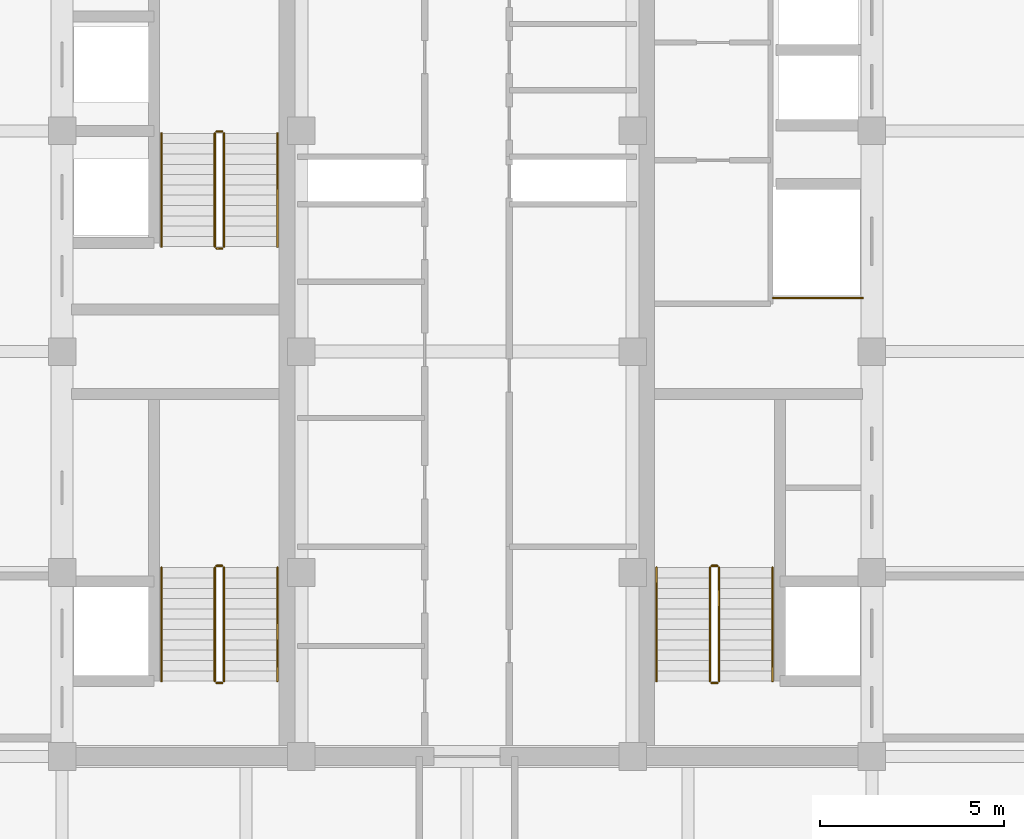
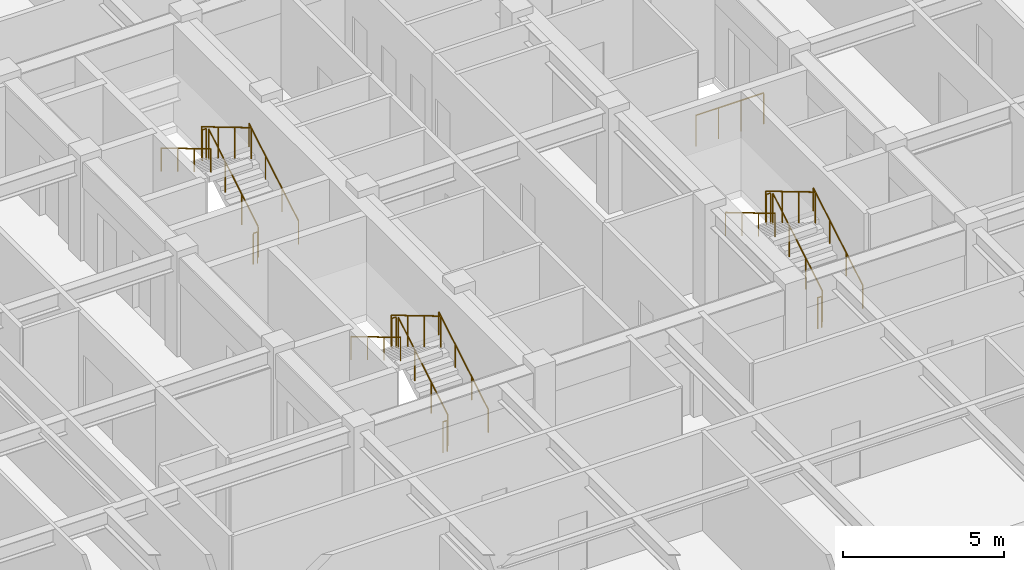
# One storey, part 28 of 28: 19 railings.
"""IFC4 building model written with IfcOpenShell, lengths in metres."""

from ifc_helpers import new_model, si_unit, direction, frame, origin, origin_2d, place, context, subcontext, project, spatial, circle, extrude, source, transform, mapped, material, type_object, element, save


model = new_model("IFC4")

# Units and contexts
model_context = context("Model", 3, precision=1e-05, world=origin(), true_north=direction((0.0, 1.0)))
body_context = subcontext(model_context, "Body", "Model", "MODEL_VIEW")
ifc_project = project(units=[si_unit("LENGTHUNIT", "METRE"), si_unit("AREAUNIT", "SQUARE_METRE"), si_unit("VOLUMEUNIT", "CUBIC_METRE"), si_unit("PLANEANGLEUNIT", "RADIAN"), si_unit("MASSUNIT", "GRAM", prefix="KILO")], contexts=[model_context])

# Site, building, storey
site_placement = place(None, origin())
site = spatial("IfcSite", under=ifc_project, at=site_placement, CompositionType="ELEMENT")
building_placement = place(site_placement, origin())
building = spatial("IfcBuilding", under=site, at=building_placement, Name="Khorayat Bourse Tower", CompositionType="ELEMENT")
storey_placement = place(building_placement, frame((0.0, 0.0, 338.300048828125)))
storey = spatial("IfcBuildingStorey", under=building, at=storey_placement, Name="L80", CompositionType="ELEMENT", Elevation=338.300048828125)

# Railings
ifc_material_1 = material(Name="Powder-coated steel balustrade", Category="steel")
railing_type_1 = type_object("IfcRailingType", Name="RLG-GUARD-1200", PredefinedType="GUARDRAIL", material=ifc_material_1)
shared_shape_1 = source(origin(), body_context, "Body", "SweptSolid", [
    extrude(circle(Radius=0.02392578125, at=origin_2d()), frame((0.0, 0.0, 1.17578125), z_axis=(-1.0, 0.0, 0.0), x_axis=(0.0, -1.0, 0.0)), (0.0, 0.0, 1.0), 0.150146484375),
    extrude(circle(Radius=0.02099609375, at=origin_2d()), origin(), (0.0, 0.0, 1.0), 1.15185546875),
    extrude(circle(Radius=0.02099609375, at=origin_2d()), frame((-0.150146484375, 0.0, 0.0)), (0.0, 0.0, 1.0), 1.15185546875),
])
for number, where, name in (
    (1, (-6.64990234375, -5.820068359375, 2.0), "L80 ST-1 stair guard 2"),
    (2, (-6.64990234375, -9.0, 0.0), "L80 ST-1 stair guard 4"),
    (3, (-6.64990234375, 5.97998046875, 2.0), "L80 ST-2 stair guard 2"),
    (4, (-6.64990234375, 2.800048828125, 0.0), "L80 ST-2 stair guard 4"),
    (5, (6.800048828125, -5.820068359375, 2.0), "L80 ST-3 stair guard 2"),
    (6, (6.800048828125, -9.0, 0.0), "L80 ST-3 stair guard 4"),
):
    element("IfcRailing", number, at=place(storey_placement, frame(where)), inside=storey, type_object=railing_type_1, Name=name, PredefinedType="GUARDRAIL", context=body_context, shape_type="MappedRepresentation", body=[
        mapped(shared_shape_1, transform((0.0, 0.0, 0.0), scale=1.0)),
    ])
shared_shape_2 = source(origin(), body_context, "Body", "SweptSolid", [
    extrude(circle(Radius=0.02392578125, at=origin_2d()), frame((0.0, 0.0, 1.17578125), z_axis=(0.0, 0.859260807169, 0.511537745687), x_axis=(-1.0, 0.0, 0.0)), (0.0, 0.0, 1.0), 3.584228515625),
    extrude(circle(Radius=0.02099609375, at=origin_2d()), origin(), (0.0, 0.0, 1.0), 1.15185546875),
    extrude(circle(Radius=0.02099609375, at=origin_2d()), frame((0.0, 1.026611328125, 0.611083984375)), (0.0, 0.0, 1.0), 1.15185546875),
    extrude(circle(Radius=0.02099609375, at=origin_2d()), frame((0.0, 2.05322265625, 1.222412109375)), (0.0, 0.0, 1.0), 1.15185546875),
    extrude(circle(Radius=0.02099609375, at=origin_2d()), frame((0.0, 3.079833984375, 1.83349609375)), (0.0, 0.0, 1.0), 1.15185546875),
])
for number, where, name in (
    (7, (-6.60009765625, -8.949951171875, 0.16650390625), "L80 ST-1 stair guard 1"),
    (8, (-6.60009765625, 2.85009765625, 0.16650390625), "L80 ST-2 stair guard 1"),
    (9, (6.85009765625, -8.949951171875, 0.16650390625), "L80 ST-3 stair guard 1"),
):
    element("IfcRailing", number, at=place(storey_placement, frame(where)), inside=storey, type_object=railing_type_1, Name=name, PredefinedType="GUARDRAIL", context=body_context, shape_type="MappedRepresentation", body=[
        mapped(shared_shape_2, transform((0.0, 0.0, 0.0), scale=1.0)),
    ])
shared_shape_3 = source(origin(), body_context, "Body", "SweptSolid", [
    extrude(circle(Radius=0.02392578125, at=origin_2d()), frame((0.0, 0.0, 1.17578125), z_axis=(0.0, -0.859260807169, 0.511537745687), x_axis=(1.0, 0.0, 0.0)), (0.0, 0.0, 1.0), 3.584228515625),
    extrude(circle(Radius=0.02099609375, at=origin_2d()), origin(), (0.0, 0.0, 1.0), 1.15185546875),
    extrude(circle(Radius=0.02099609375, at=origin_2d()), frame((0.0, -1.026611328125, 0.611083984375)), (0.0, 0.0, 1.0), 1.15185546875),
    extrude(circle(Radius=0.02099609375, at=origin_2d()), frame((0.0, -2.05322265625, 1.222412109375)), (0.0, 0.0, 1.0), 1.15185546875),
    extrude(circle(Radius=0.02099609375, at=origin_2d()), frame((0.0, -3.079833984375, 1.83349609375)), (0.0, 0.0, 1.0), 1.15185546875),
])
for number, where, name in (
    (10, (-6.85009765625, -5.8701171875, 2.16650390625), "L80 ST-1 stair guard 3"),
    (11, (-6.85009765625, 5.929931640625, 2.16650390625), "L80 ST-2 stair guard 3"),
    (12, (6.60009765625, -5.8701171875, 2.16650390625), "L80 ST-3 stair guard 3"),
):
    element("IfcRailing", number, at=place(storey_placement, frame(where)), inside=storey, type_object=railing_type_1, Name=name, PredefinedType="GUARDRAIL", context=body_context, shape_type="MappedRepresentation", body=[
        mapped(shared_shape_3, transform((0.0, 0.0, 0.0), scale=1.0)),
    ])
ifc_material_2 = material(Name="Brushed bronze stainless-steel handrail", Category="steel")
railing_type_2 = type_object("IfcRailingType", Name="RLG-HAND-900", PredefinedType="HANDRAIL", material=ifc_material_2)
shared_shape_4 = source(origin(), body_context, "Body", "SweptSolid", [
    extrude(circle(Radius=0.02392578125, at=origin_2d()), frame((0.0, 0.0, 0.8759765625), z_axis=(0.0, 0.859260807169, 0.511537745687), x_axis=(-1.0, 0.0, 0.0)), (0.0, 0.0, 1.0), 3.584228515625),
    extrude(circle(Radius=0.02099609375, at=origin_2d()), origin(), (0.0, 0.0, 1.0), 0.851806640625),
    extrude(circle(Radius=0.02099609375, at=origin_2d()), frame((0.0, 1.026611328125, 0.611083984375)), (0.0, 0.0, 1.0), 0.851806640625),
    extrude(circle(Radius=0.02099609375, at=origin_2d()), frame((0.0, 2.05322265625, 1.222412109375)), (0.0, 0.0, 1.0), 0.851806640625),
    extrude(circle(Radius=0.02099609375, at=origin_2d()), frame((0.0, 3.079833984375, 1.83349609375)), (0.0, 0.0, 1.0), 0.851806640625),
])
for number, where, name in (
    (13, (-5.14990234375, -8.949951171875, 0.16650390625), "L80 ST-1 stair handrail 1"),
    (14, (-5.14990234375, 2.85009765625, 0.16650390625), "L80 ST-2 stair handrail 1"),
    (15, (8.300048828125, -8.949951171875, 0.16650390625), "L80 ST-3 stair handrail 1"),
):
    element("IfcRailing", number, at=place(storey_placement, frame(where)), inside=storey, type_object=railing_type_2, Name=name, PredefinedType="HANDRAIL", context=body_context, shape_type="MappedRepresentation", body=[
        mapped(shared_shape_4, transform((0.0, 0.0, 0.0), scale=1.0)),
    ])
shared_shape_5 = source(origin(), body_context, "Body", "SweptSolid", [
    extrude(circle(Radius=0.02392578125, at=origin_2d()), frame((0.0, 0.0, 0.8759765625), z_axis=(0.0, -0.859260807169, 0.511537745687), x_axis=(1.0, 0.0, 0.0)), (0.0, 0.0, 1.0), 3.584228515625),
    extrude(circle(Radius=0.02099609375, at=origin_2d()), origin(), (0.0, 0.0, 1.0), 0.851806640625),
    extrude(circle(Radius=0.02099609375, at=origin_2d()), frame((0.0, -1.026611328125, 0.611083984375)), (0.0, 0.0, 1.0), 0.851806640625),
    extrude(circle(Radius=0.02099609375, at=origin_2d()), frame((0.0, -2.05322265625, 1.222412109375)), (0.0, 0.0, 1.0), 0.851806640625),
    extrude(circle(Radius=0.02099609375, at=origin_2d()), frame((0.0, -3.079833984375, 1.83349609375)), (0.0, 0.0, 1.0), 0.851806640625),
])
for number, where, name in (
    (16, (-8.300048828125, -5.8701171875, 2.16650390625), "L80 ST-1 stair handrail 2"),
    (17, (-8.300048828125, 5.929931640625, 2.16650390625), "L80 ST-2 stair handrail 2"),
    (18, (5.14990234375, -5.8701171875, 2.16650390625), "L80 ST-3 stair handrail 2"),
):
    element("IfcRailing", number, at=place(storey_placement, frame(where)), inside=storey, type_object=railing_type_2, Name=name, PredefinedType="HANDRAIL", context=body_context, shape_type="MappedRepresentation", body=[
        mapped(shared_shape_5, transform((0.0, 0.0, 0.0), scale=1.0)),
    ])
shared_shape_6 = source(origin(), body_context, "Body", "SweptSolid", [
    extrude(circle(Radius=0.02392578125, at=origin_2d()), frame((0.0, 0.0, 1.17578125), z_axis=(1.0, 0.0, 0.0), x_axis=(0.0, 1.0, 0.0)), (0.0, 0.0, 1.0), 2.429931640625),
    extrude(circle(Radius=0.02099609375, at=origin_2d()), origin(), (0.0, 0.0, 1.0), 1.15185546875),
    extrude(circle(Radius=0.02099609375, at=origin_2d()), frame((0.81005859375, 0.0, 0.0)), (0.0, 0.0, 1.0), 1.15185546875),
    extrude(circle(Radius=0.02099609375, at=origin_2d()), frame((1.619873046875, 0.0, 0.0)), (0.0, 0.0, 1.0), 1.15185546875),
    extrude(circle(Radius=0.02099609375, at=origin_2d()), frame((2.429931640625, 0.0, 0.0)), (0.0, 0.0, 1.0), 1.15185546875),
])
railing_placement = place(storey_placement, frame((8.320068359375, 1.4599609375, 0.0)))
element("IfcRailing", 19, at=railing_placement, inside=storey, type_object=railing_type_1, Name="L80 Goods Shaft Opening Guardrail", PredefinedType="GUARDRAIL", context=body_context, shape_type="MappedRepresentation", body=[
    mapped(shared_shape_6, transform((0.0, 0.0, 0.0), scale=1.0)),
])

save(model, "model.ifc")
